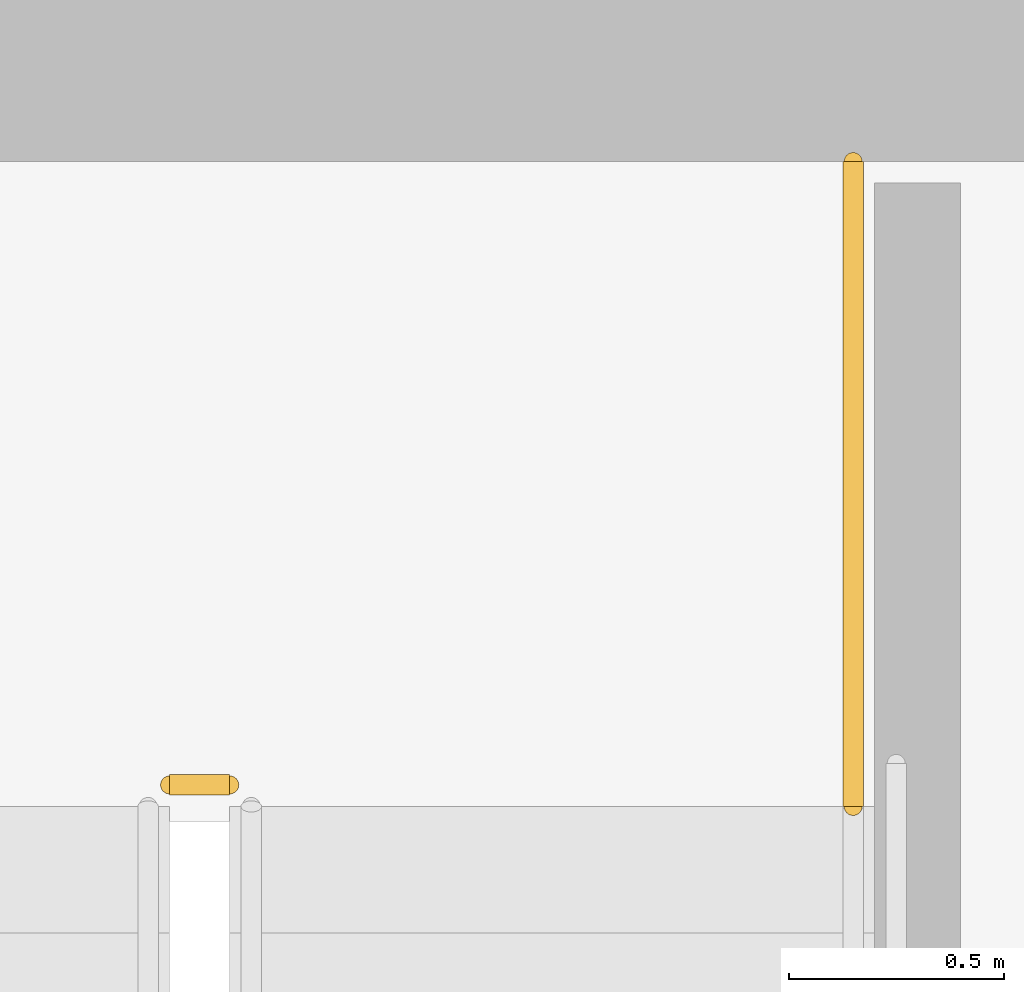
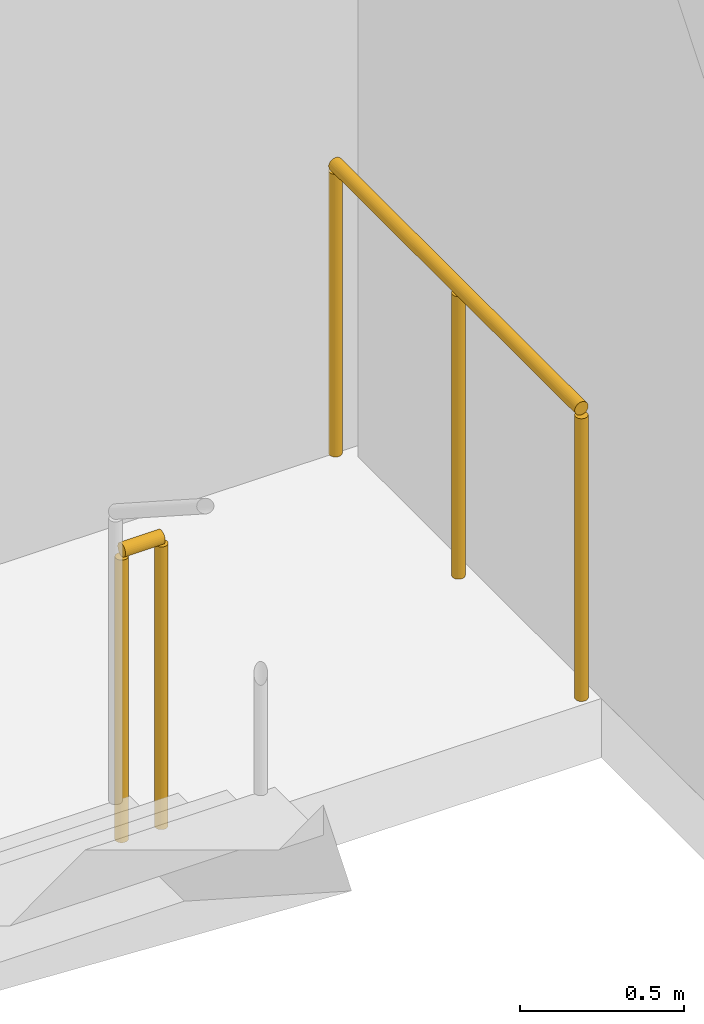
# One storey, part 32 of 33: 2 railings.
"""IFC4 building model written with IfcOpenShell, lengths in metres."""

from ifc_helpers import new_model, si_unit, direction, frame, origin, origin_2d, place, context, subcontext, project, spatial, circle, extrude, material, layer, layer_set, type_object, element, save


model = new_model("IFC4")

# Units and contexts
model_context = context("Model", 3, precision=1e-05, world=origin(), true_north=direction((0.0, 1.0)))
body_context = subcontext(model_context, "Body", "Model", "MODEL_VIEW")
ifc_project = project(units=[si_unit("LENGTHUNIT", "METRE"), si_unit("AREAUNIT", "SQUARE_METRE"), si_unit("VOLUMEUNIT", "CUBIC_METRE"), si_unit("PLANEANGLEUNIT", "RADIAN"), si_unit("MASSUNIT", "GRAM", prefix="KILO")], contexts=[model_context])

# Site, building, storey
site_placement = place(None, origin())
site = spatial("IfcSite", under=ifc_project, at=site_placement, CompositionType="ELEMENT")
building_placement = place(site_placement, origin())
building = spatial("IfcBuilding", under=site, at=building_placement, Name="Ndaravel Arena Tower", CompositionType="ELEMENT")
storey_placement = place(building_placement, frame((0.0, 0.0, 153.60009765625)))
storey = spatial("IfcBuildingStorey", under=building, at=storey_placement, Name="L36", CompositionType="ELEMENT", Elevation=153.60009765625)

# Railings
ifc_material = material(Name="Steel S355", Category="steel")
ifc_layer = layer(ifc_material, 0.06005859375)
ifc_layer_set = layer_set([ifc_layer], Name="Steel S355")
railing_type = type_object("IfcRailingType", Name="RAIL-STAIR-GD1100", PredefinedType="GUARDRAIL", material=ifc_layer_set)
railing_1_placement = place(storey_placement, frame((55.10009765625, 13.300048828125, 0.0)))
element("IfcRailing", 1, at=railing_1_placement, inside=storey, type_object=railing_type, Name="L36 ST-3 stair guard 4", PredefinedType="GUARDRAIL", context=body_context, shape_type="SweptSolid", body=[
    extrude(circle(Radius=0.02392578125, at=origin_2d()), frame((0.0, 0.0, 1.076171875), z_axis=(1.0, 0.0, 0.0), x_axis=(0.0, 1.0, 0.0)), (0.0, 0.0, 1.0), 0.139892578125),
    extrude(circle(Radius=0.02099609375, at=origin_2d()), origin(), (0.0, 0.0, 1.0), 1.052001953125),
    extrude(circle(Radius=0.02099609375, at=origin_2d()), frame((0.139892578125, 0.0, 0.0)), (0.0, 0.0, 1.0), 1.052001953125),
])
railing_2_placement = place(storey_placement, frame((56.68994140625, 14.75, 0.0)))
element("IfcRailing", 2, at=railing_2_placement, inside=storey, type_object=railing_type, Name="L36 ST-3 stair guard 5", PredefinedType="GUARDRAIL", context=body_context, shape_type="SweptSolid", body=[
    extrude(circle(Radius=0.02392578125, at=origin_2d()), frame((0.0, 0.0, 1.076171875), z_axis=(0.0, -1.0, 0.0), x_axis=(1.0, 0.0, 0.0)), (0.0, 0.0, 1.0), 1.5),
    extrude(circle(Radius=0.02099609375, at=origin_2d()), origin(), (0.0, 0.0, 1.0), 1.052001953125),
    extrude(circle(Radius=0.02099609375, at=origin_2d()), frame((0.0, -0.75, 0.0)), (0.0, 0.0, 1.0), 1.052001953125),
    extrude(circle(Radius=0.02099609375, at=origin_2d()), frame((0.0, -1.5, 0.0)), (0.0, 0.0, 1.0), 1.052001953125),
])

save(model, "model.ifc")
